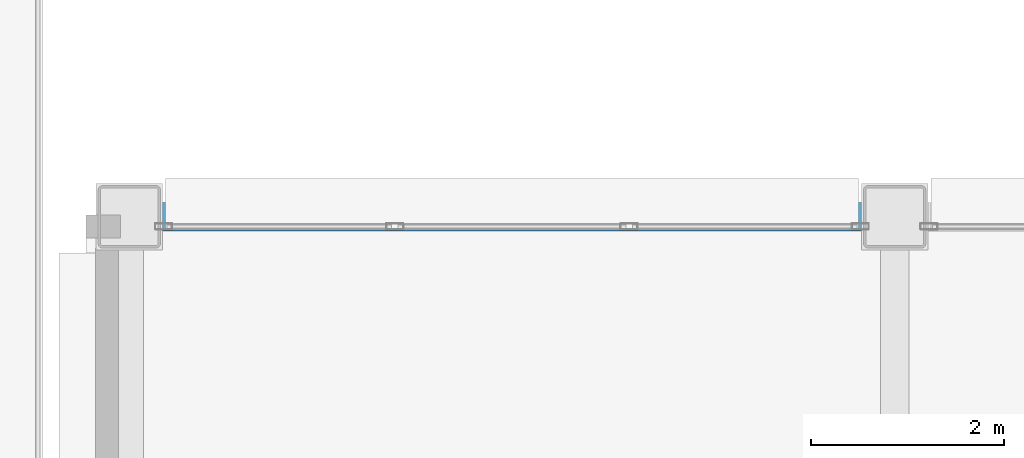
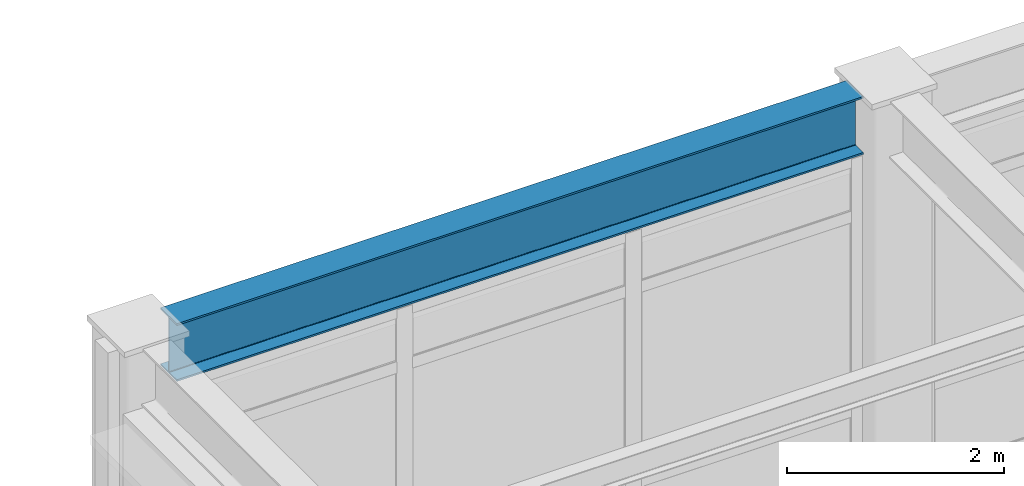
# One storey, part 39 of 93: 1 beam.
"""IFC4 building model written with IfcOpenShell, lengths in metres."""

from ifc_helpers import new_model, si_unit, direction, frame, origin, origin_2d, place, context, subcontext, project, spatial, i_section, extrude, material, material_profile, profile_set, type_object, element, save


model = new_model("IFC4")

# Units and contexts
model_context = context("Model", 3, precision=1e-05, world=origin(), true_north=direction((0.0, 1.0)))
body_context = subcontext(model_context, "Body", "Model", "MODEL_VIEW")
ifc_project = project(units=[si_unit("LENGTHUNIT", "METRE"), si_unit("AREAUNIT", "SQUARE_METRE"), si_unit("VOLUMEUNIT", "CUBIC_METRE"), si_unit("PLANEANGLEUNIT", "RADIAN"), si_unit("MASSUNIT", "GRAM", prefix="KILO")], contexts=[model_context])

# Site, building, storey
site_placement = place(None, origin())
site = spatial("IfcSite", under=ifc_project, at=site_placement, CompositionType="ELEMENT")
building_placement = place(site_placement, origin())
building = spatial("IfcBuilding", under=site, at=building_placement, Name="Kazehara Bluff Congress Hotel", CompositionType="ELEMENT")
storey_placement = place(building_placement, frame((0.0, 0.0, 15.0)))
storey = spatial("IfcBuildingStorey", under=building, at=storey_placement, Name="L03", CompositionType="ELEMENT", Elevation=15.0)

# Beam
ifc_material = material(Name="Steel SN490B", Category="steel")
ifc_material_profile = material_profile(ifc_material, i_section(OverallWidth=0.300048828125, OverallDepth=0.64990234375, WebThickness=0.011962890625, FlangeThickness=0.02001953125, FilletRadius=0.012939453125, at=origin_2d()))
ifc_profile_set = profile_set([ifc_material_profile], Name="Steel SN490B")
beam_type = type_object("IfcBeamType", Name="TP-G-03", PredefinedType="BEAM", material=ifc_profile_set)
beam_placement = place(storey_placement, frame((110.875, 32.0, 4.235107421875), z_axis=(1.0, 0.0, 0.0), x_axis=(0.0, 1.0, 0.0)))
element("IfcBeam", 1, at=beam_placement, inside=storey, type_object=beam_type, Name="L03 girder G-03 170", PredefinedType="BEAM", context=body_context, shape_type="SweptSolid", body=[
    extrude(i_section(OverallWidth=0.300048828125, OverallDepth=0.64990234375, WebThickness=0.011962890625, FlangeThickness=0.02001953125, FilletRadius=0.012939453125, at=origin_2d()), origin(), (0.0, 0.0, 1.0), 7.300048828125),
])

save(model, "model.ifc")
